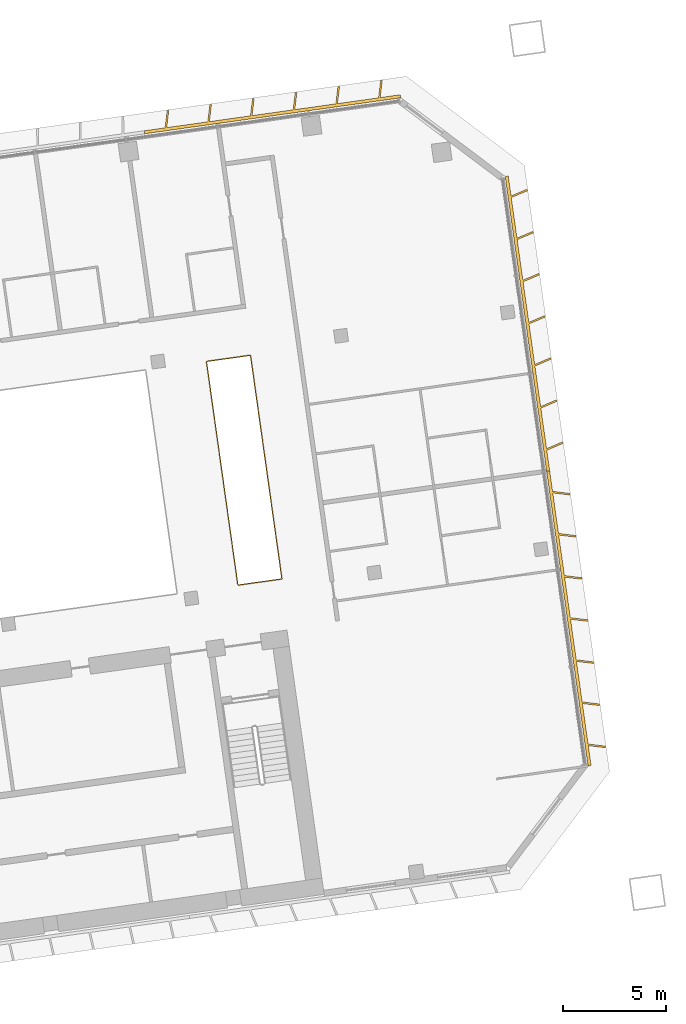
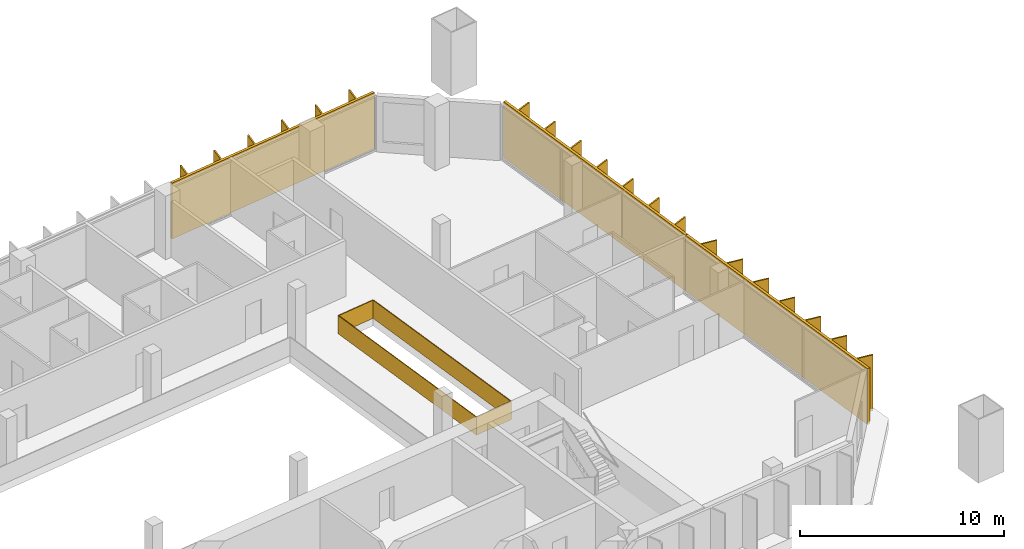
# One storey, part 26 of 26: 3 shading devices, 1 railing.
"""IFC4 building model written with IfcOpenShell, lengths in metres."""

from ifc_helpers import new_model, si_unit, direction, frame, origin, origin_2d, place, context, subcontext, project, spatial, polyline, rectangle, outline, extrude, material, type_object, element, save


model = new_model("IFC4")

# Units and contexts
model_context = context("Model", 3, precision=1e-05, world=origin(), true_north=direction((0.0, 1.0)))
body_context = subcontext(model_context, "Body", "Model", "MODEL_VIEW")
ifc_project = project(units=[si_unit("LENGTHUNIT", "METRE"), si_unit("AREAUNIT", "SQUARE_METRE"), si_unit("VOLUMEUNIT", "CUBIC_METRE"), si_unit("PLANEANGLEUNIT", "RADIAN"), si_unit("MASSUNIT", "GRAM", prefix="KILO")], contexts=[model_context])

# Site, building, storey
site_placement = place(None, origin())
site = spatial("IfcSite", under=ifc_project, at=site_placement, CompositionType="ELEMENT")
building_placement = place(site_placement, origin())
building = spatial("IfcBuilding", under=site, at=building_placement, Name="Mirante Cascada Hotel Towers", CompositionType="ELEMENT")
storey_placement = place(building_placement, frame((0.0, 0.0, 106.3)))
storey = spatial("IfcBuildingStorey", under=building, at=storey_placement, Name="L23", CompositionType="ELEMENT", Elevation=106.3)

# Railing
ifc_material_1 = material(Name="Toughened glass with stainless steel handrail", Category="steel")
railing_type = type_object("IfcRailingType", Name="Atrium guard 1100 glass balustrade", PredefinedType="GUARDRAIL", material=ifc_material_1)
railing_placement = place(storey_placement, frame((86.2624, 2.4738, 0.0)))
element("IfcRailing", 1, at=railing_placement, inside=storey, type_object=railing_type, Name="GUARD 2-L23-3", PredefinedType="GUARDRAIL", context=body_context, shape_type="SweptSolid", body=[
    extrude(rectangle(XDim=0.048, YDim=0.048, at=origin_2d()), frame((0.0, 0.0, 1.076), z_axis=(0.9902724, 0.1391422, 0.0), x_axis=(-0.1391422, 0.9902724, 0.0)), (0.0, 0.0, 1.0), 2.1625),
    extrude(rectangle(XDim=0.02, YDim=1.052, at=origin_2d()), frame((0.0, 0.0, 0.526), z_axis=(0.9902724, 0.1391422, 0.0), x_axis=(-0.1391422, 0.9902724, 0.0)), (0.0, 0.0, 1.0), 2.1625),
    extrude(rectangle(XDim=0.048, YDim=0.048, at=origin_2d()), frame((2.1415, 0.3009, 1.076), z_axis=(-0.1391721, 0.9902682, 0.0), x_axis=(-0.9902682, -0.1391721, 0.0)), (0.0, 0.0, 1.0), 11.0001),
    extrude(rectangle(XDim=0.02, YDim=1.052, at=origin_2d()), frame((2.1415, 0.3009, 0.526), z_axis=(-0.1391721, 0.9902682, 0.0), x_axis=(-0.9902682, -0.1391721, 0.0)), (0.0, 0.0, 1.0), 11.0001),
    extrude(rectangle(XDim=0.048, YDim=0.048, at=origin_2d()), frame((0.6106, 11.1939, 1.076), z_axis=(-0.990266, -0.1391875, 0.0), x_axis=(0.1391875, -0.990266, 0.0)), (0.0, 0.0, 1.0), 2.1626),
    extrude(rectangle(XDim=0.02, YDim=1.052, at=origin_2d()), frame((0.6106, 11.1939, 0.526), z_axis=(-0.990266, -0.1391875, 0.0), x_axis=(0.1391875, -0.990266, 0.0)), (0.0, 0.0, 1.0), 2.1626),
    extrude(rectangle(XDim=0.048, YDim=0.048, at=origin_2d()), frame((-1.5309, 10.8929, 1.076), z_axis=(0.1391733, -0.990268, 0.0), x_axis=(0.990268, 0.1391733, 0.0)), (0.0, 0.0, 1.0), 11.0),
    extrude(rectangle(XDim=0.02, YDim=1.052, at=origin_2d()), frame((-1.5309, 10.8929, 0.526), z_axis=(0.1391733, -0.990268, 0.0), x_axis=(0.990268, 0.1391733, 0.0)), (0.0, 0.0, 1.0), 11.0),
])

# Shading devices
ifc_material_2 = material(Name="White precast concrete C50/60 fin", Category="concrete")
shading_device_type = type_object("IfcShadingDeviceType", Name="Vertical fin set 4500x900", PredefinedType="USERDEFINED", material=ifc_material_2)
shading_device_1_placement = place(storey_placement, origin())
element("IfcShadingDevice", 2, at=shading_device_1_placement, inside=storey, type_object=shading_device_type, Name="FIN T2 L23 front 1", ObjectType="FIN", PredefinedType="USERDEFINED", context=body_context, shape_type="SweptSolid", body=[
    extrude(outline(polyline([(82.8967, 25.5893), (82.7946, 24.758), (84.7922, 25.0387), (84.8968, 25.8913), (84.9762, 25.8815), (84.8742, 25.0503), (86.8717, 25.331), (86.9764, 26.1835), (87.0558, 26.1738), (86.9537, 25.3425), (88.9513, 25.6233), (89.056, 26.4758), (89.1354, 26.4661), (89.0333, 25.6348), (91.0308, 25.9155), (91.1355, 26.7681), (91.2149, 26.7583), (91.1129, 25.9271), (93.1104, 26.2078), (93.2151, 27.0603), (93.2945, 27.0506), (93.1924, 26.2193), (94.1779, 26.3578), (94.1988, 26.2093), (81.7214, 24.4557), (81.7006, 24.6042), (82.7126, 24.7465), (82.8173, 25.599), (82.8967, 25.5893)])), origin(), (0.0, 0.0, 1.0), 3.35),
])
shading_device_2_placement = place(storey_placement, origin())
element("IfcShadingDevice", 3, at=shading_device_2_placement, inside=storey, type_object=shading_device_type, Name="FIN T2 L23 outer 1", ObjectType="FIN", PredefinedType="USERDEFINED", context=body_context, shape_type="SweptSolid", body=[
    extrude(outline(polyline([(104.1606, -5.4483), (103.3293, -5.3462), (103.4659, -6.3175), (103.3173, -6.3384), (101.2993, 8.0205), (101.4478, 8.0413), (101.5881, 7.0434), (102.4406, 6.9388), (102.4309, 6.8594), (101.5996, 6.9614), (101.8764, 4.9922), (102.7289, 4.8875), (102.7192, 4.8081), (101.8879, 4.9102), (102.1647, 2.9409), (103.0172, 2.8362), (103.0075, 2.7568), (102.1762, 2.8589), (102.4529, 0.8896), (103.3055, 0.785), (103.2957, 0.7056), (102.4645, 0.8076), (102.7412, -1.1616), (103.5938, -1.2663), (103.584, -1.3457), (102.7528, -1.2436), (103.0295, -3.2129), (103.8821, -3.3176), (103.8723, -3.397), (103.041, -3.2949), (103.3178, -5.2642), (104.1704, -5.3689), (104.1606, -5.4483)])), origin(), (0.0, 0.0, 1.0), 3.35),
])
shading_device_3_placement = place(storey_placement, origin())
element("IfcShadingDevice", 4, at=shading_device_3_placement, inside=storey, type_object=shading_device_type, Name="FIN T2 L23 outer 2", ObjectType="FIN", PredefinedType="USERDEFINED", context=body_context, shape_type="SweptSolid", body=[
    extrude(outline(polyline([(102.0983, 9.3749), (101.3076, 9.0392), (101.4478, 8.0413), (101.2993, 8.0205), (99.2813, 22.3794), (99.4298, 22.4002), (99.5663, 21.4289), (100.3373, 21.7561), (100.3685, 21.6825), (99.5779, 21.3469), (99.8546, 19.3776), (100.6256, 19.7048), (100.6568, 19.6312), (99.8662, 19.2956), (100.1429, 17.3263), (100.9139, 17.6536), (100.9451, 17.5799), (100.1544, 17.2443), (100.4312, 15.2751), (101.2021, 15.6023), (101.2334, 15.5287), (100.4427, 15.193), (100.7195, 13.2238), (101.4904, 13.551), (101.5217, 13.4774), (100.731, 13.1418), (101.0078, 11.1725), (101.7787, 11.4998), (101.81, 11.4261), (101.0193, 11.0905), (101.2961, 9.1212), (102.067, 9.4485), (102.0983, 9.3749)])), origin(), (0.0, 0.0, 1.0), 3.35),
])

save(model, "model.ifc")
